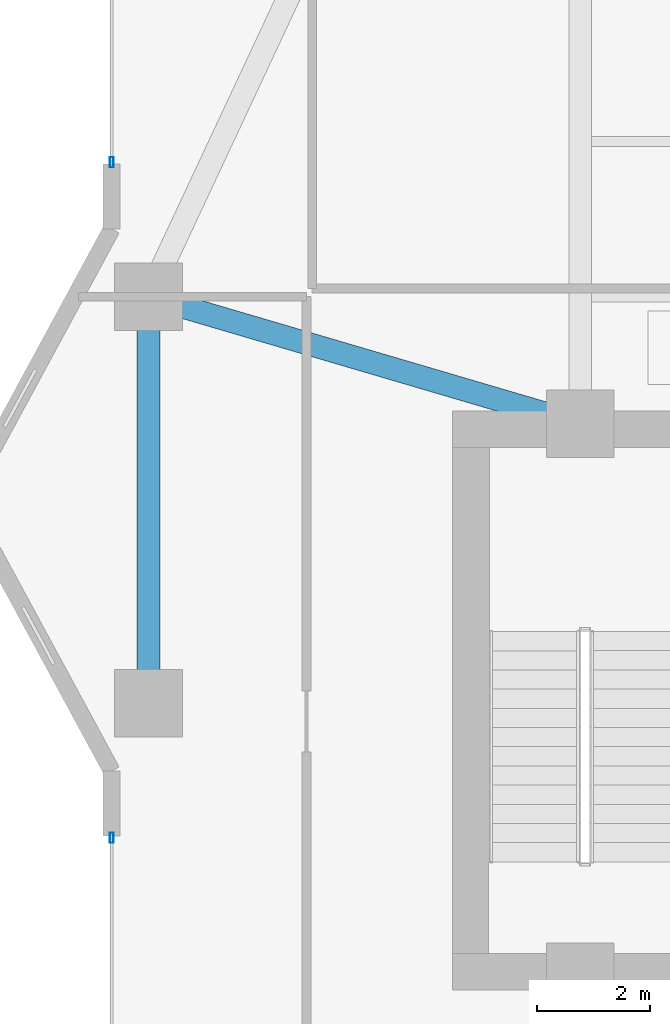
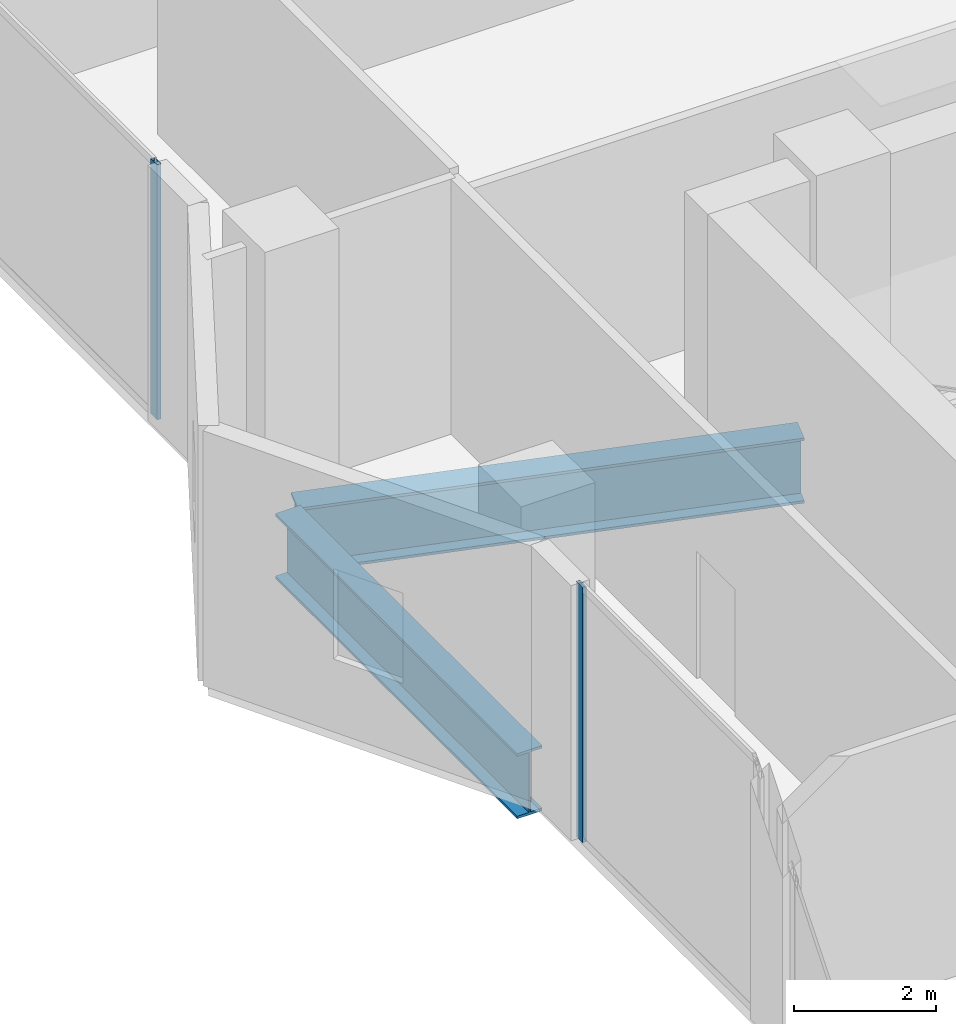
# One storey, part 8 of 33: 2 beams, 2 members, 2 elements without a shape of their own.
"""IFC4 building model written with IfcOpenShell, lengths in metres."""

from ifc_helpers import new_model, si_unit, direction, frame, origin, origin_2d, place, context, subcontext, project, spatial, hollow_rectangle, i_section, extrude, material, layer, layer_set, material_profile, profile_set, type_object, element, aggregate, save


model = new_model("IFC4")

# Units and contexts
model_context = context("Model", 3, precision=1e-05, world=origin(), true_north=direction((0.0, 1.0)))
body_context = subcontext(model_context, "Body", "Model", "MODEL_VIEW")
ifc_project = project(units=[si_unit("LENGTHUNIT", "METRE"), si_unit("AREAUNIT", "SQUARE_METRE"), si_unit("VOLUMEUNIT", "CUBIC_METRE"), si_unit("PLANEANGLEUNIT", "RADIAN"), si_unit("MASSUNIT", "GRAM", prefix="KILO")], contexts=[model_context])

# Site, building, storey
site_placement = place(None, origin())
site = spatial("IfcSite", under=ifc_project, at=site_placement, CompositionType="ELEMENT")
building_placement = place(site_placement, origin())
building = spatial("IfcBuilding", under=site, at=building_placement, Name="Zuhayl Quay Hotel", CompositionType="ELEMENT")
storey_placement = place(building_placement, frame((0.0, 0.0, 168.199951171875)))
storey = spatial("IfcBuildingStorey", under=building, at=storey_placement, Name="L42", CompositionType="ELEMENT", Elevation=168.199951171875)

# Beams
ifc_material_1 = material(Name="Steel ASTM A913 Grade 65", Category="steel")
ifc_material_profile_1 = material_profile(ifc_material_1, i_section(OverallWidth=0.404052734375, OverallDepth=1.117919921875, WebThickness=0.026123046875, FlangeThickness=0.044921875, at=origin_2d()), Name="W44X335")
ifc_profile_set_1 = profile_set([ifc_material_profile_1], Name="Steel ASTM A913 Grade 65")
beam_type = type_object("IfcBeamType", Name="BM_TG1_W44X335", PredefinedType="BEAM", material=ifc_profile_set_1)
beam_1_placement = place(storey_placement, frame((-21.449951171875, 16.39990234375, -0.81884765625), z_axis=(0.0, -1.0, 0.0), x_axis=(1.0, 0.0, 0.0)))
element("IfcBeam", 1, at=beam_1_placement, inside=storey, type_object=beam_type, Name="L42 Floor Beam RG_L42_11", PredefinedType="BEAM", context=body_context, shape_type="SweptSolid", body=[
    extrude(i_section(OverallWidth=0.404052734375, OverallDepth=1.117919921875, WebThickness=0.026123046875, FlangeThickness=0.044921875, at=origin_2d()), origin(), (0.0, 0.0, 1.0), 6.7998046875),
])
beam_2_placement = place(storey_placement, frame((-21.258056640625, 16.543701171875, -0.81884765625), z_axis=(0.959362847519, -0.282175347611, 0.0), x_axis=(0.282175347611, 0.959362847519, 0.0)))
element("IfcBeam", 2, at=beam_2_placement, inside=storey, type_object=beam_type, Name="L42 Floor Beam FG_W_L42_2", PredefinedType="BEAM", context=body_context, shape_type="SweptSolid", body=[
    extrude(i_section(OverallWidth=0.404052734375, OverallDepth=1.117919921875, WebThickness=0.026123046875, FlangeThickness=0.044921875, at=origin_2d()), origin(), (0.0, 0.0, 1.0), 7.323974609375),
])

# Curtain wall, member
ifc_material_2 = material(Name="Anodised Aluminium 6063-T6", Category="aluminium")
ifc_layer = layer(ifc_material_2, 0.175048828125, Name="Anodised Aluminium 6063-T6", Category="aluminium")
ifc_layer_set = layer_set([ifc_layer], Name="Anodised Aluminium 6063-T6")
curtain_wall_type = type_object("IfcCurtainWallType", Name="CW_SYS_Z3", PredefinedType="USERDEFINED", material=ifc_layer_set)
curtain_wall_1_placement = place(storey_placement, origin())
curtain_wall_1 = element("IfcCurtainWall", 3, at=curtain_wall_1_placement, inside=storey, type_object=curtain_wall_type, Name="L42 Curtain Wall ENV_L42_E02_CW2", ObjectType="UNITISED CURTAIN WALL", PredefinedType="USERDEFINED")
ifc_material_3 = material(Name="Black-anodised aluminium 6063-T6", Category="aluminium")
ifc_material_profile_2 = material_profile(ifc_material_3, hollow_rectangle(XDim=0.06494140625, YDim=0.179931640625, WallThickness=0.00341796875, at=origin_2d()), Name="ALU180X65")
ifc_profile_set_2 = profile_set([ifc_material_profile_2], Name="Black-anodised aluminium 6063-T6")
member_type = type_object("IfcMemberType", Name="MB_CW_MUL_180", PredefinedType="MULLION", material=ifc_profile_set_2)
member_1_placement = place(storey_placement, frame((-22.10009765625, 7.017578125, 0.0), z_axis=(0.0, 0.0, 1.0), x_axis=(-1.0, 0.0, 0.0)))
member_1 = element("IfcMember", 4, at=member_1_placement, type_object=member_type, Name="CW-Z3 mullion 2", PredefinedType="MULLION", context=body_context, shape_type="SweptSolid", body=[
    extrude(hollow_rectangle(XDim=0.06494140625, YDim=0.179931640625, WallThickness=0.00341796875, at=origin_2d()), origin(), (0.0, 0.0, 1.0), 4.380126953125),
])
aggregate(curtain_wall_1, [member_1])

curtain_wall_2_placement = place(storey_placement, origin())
curtain_wall_2 = element("IfcCurtainWall", 5, at=curtain_wall_2_placement, inside=storey, type_object=curtain_wall_type, Name="L42 Curtain Wall ENV_L42_E05_CW1", ObjectType="UNITISED CURTAIN WALL", PredefinedType="USERDEFINED")
member_2_placement = place(storey_placement, frame((-22.10009765625, 18.982421875, 0.0), z_axis=(0.0, 0.0, 1.0), x_axis=(-1.0, 0.0, 0.0)))
member_2 = element("IfcMember", 6, at=member_2_placement, type_object=member_type, Name="CW-Z3 mullion 1", PredefinedType="MULLION", context=body_context, shape_type="SweptSolid", body=[
    extrude(hollow_rectangle(XDim=0.06494140625, YDim=0.179931640625, WallThickness=0.00341796875, at=origin_2d()), origin(), (0.0, 0.0, 1.0), 4.380126953125),
])
aggregate(curtain_wall_2, [member_2])

save(model, "model.ifc")
